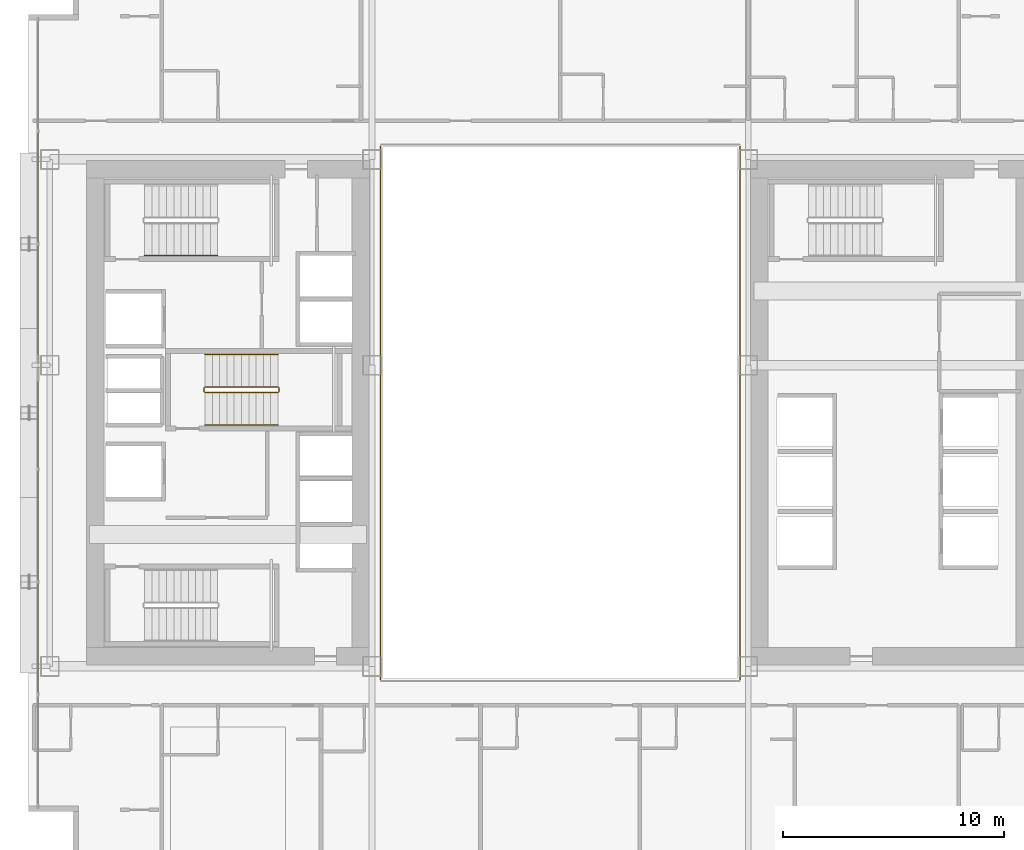
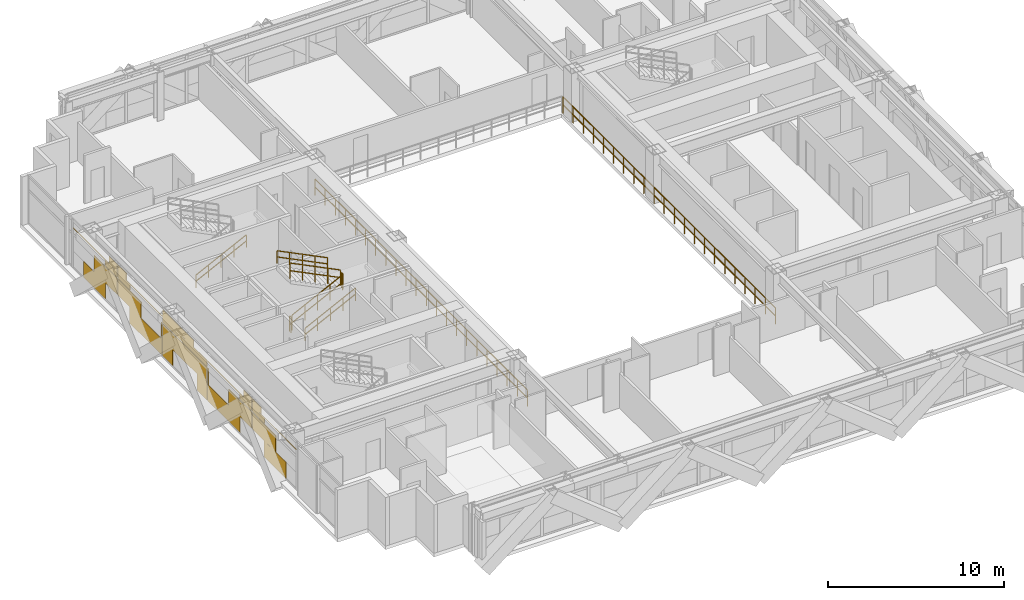
# One storey, part 33 of 35: 9 railings, 1 covering.
"""IFC4 building model written with IfcOpenShell, lengths in metres."""

from ifc_helpers import new_model, si_unit, direction, frame, origin, origin_2d, place, context, subcontext, project, spatial, rectangle, extrude, material, layer, layer_set, type_object, element, save


model = new_model("IFC4")

# Units and contexts
model_context = context("Model", 3, precision=1e-05, world=origin(), true_north=direction((0.0, 1.0)))
body_context = subcontext(model_context, "Body", "Model", "MODEL_VIEW")
ifc_project = project(units=[si_unit("LENGTHUNIT", "METRE"), si_unit("AREAUNIT", "SQUARE_METRE"), si_unit("VOLUMEUNIT", "CUBIC_METRE"), si_unit("PLANEANGLEUNIT", "RADIAN"), si_unit("MASSUNIT", "GRAM", prefix="KILO")], contexts=[model_context])

# Site, building, storey
site_placement = place(None, origin())
site = spatial("IfcSite", under=ifc_project, at=site_placement, CompositionType="ELEMENT")
building_placement = place(site_placement, origin())
building = spatial("IfcBuilding", under=site, at=building_placement, Name="Ocotamira Hotel", CompositionType="ELEMENT")
storey_placement = place(building_placement, frame((0.0, 0.0, 78.0)))
storey = spatial("IfcBuildingStorey", under=building, at=storey_placement, Name="L19", CompositionType="ELEMENT", Elevation=78.0)

# Covering
ifc_material_1 = material(Name="Insulated pale-metal aluminium spandrel panel", Category="aluminium")
ifc_layer = layer(ifc_material_1, 0.044921875)
ifc_layer_set = layer_set([ifc_layer], Name="Insulated pale-metal aluminium spandrel panel")
covering_type = type_object("IfcCoveringType", Name="COV-INFILL-45", PredefinedType="CLADDING", material=ifc_layer_set)
covering_placement = place(storey_placement, origin())
element("IfcCovering", 1, at=covering_placement, inside=storey, type_object=covering_type, Name="L19 Curtain Wall Infill CW-2 CW-L19-W", PredefinedType="CLADDING", context=body_context, shape_type="SweptSolid", body=[
    extrude(rectangle(XDim=2.49658203125, YDim=0.044921875, at=origin_2d()), frame((8.419921875, 15.752685546875, 0.07568359375), z_axis=(0.0, 0.0, 1.0), x_axis=(0.0, 1.0, 0.0)), (0.0, 0.0, 1.0), 1.11767578125),
    extrude(rectangle(XDim=2.640625, YDim=0.044921875, at=origin_2d()), frame((8.419921875, 17.010498046875, 1.1943359375), z_axis=(0.0, 0.0, 1.0), x_axis=(0.0, 1.0, 0.0)), (0.0, 0.0, 1.0), 1.117919921875),
    extrude(rectangle(XDim=5.004638671875, YDim=0.044921875, at=origin_2d()), frame((8.419921875, 15.82861328125, 2.753173828125), z_axis=(0.0, 0.0, 1.0), x_axis=(0.0, 1.0, 0.0)), (0.0, 0.0, 1.0), 0.0361328125),
    extrude(rectangle(XDim=1.375, YDim=0.044921875, at=origin_2d()), frame((8.419921875, 17.643310546875, 2.387939453125), z_axis=(0.0, 0.0, 1.0), x_axis=(0.0, 1.0, 0.0)), (0.0, 0.0, 1.0), 0.3642578125),
    extrude(rectangle(XDim=0.948486328125, YDim=0.044921875, at=origin_2d()), frame((8.419921875, 17.856689453125, 2.79052734375), z_axis=(0.0, 0.0, 1.0), x_axis=(0.0, 1.0, 0.0)), (0.0, 0.0, 1.0), 0.484130859375),
    extrude(rectangle(XDim=2.631103515625, YDim=0.044921875, at=origin_2d()), frame((8.419921875, 19.727294921875, 1.1943359375), z_axis=(0.0, 0.0, 1.0), x_axis=(0.0, 1.0, 0.0)), (0.0, 0.0, 1.0), 1.117919921875),
    extrude(rectangle(XDim=3.684326171875, YDim=0.044921875, at=origin_2d()), frame((8.419921875, 21.574462890625, 0.07568359375), z_axis=(0.0, 0.0, 1.0), x_axis=(0.0, 1.0, 0.0)), (0.0, 0.0, 1.0), 1.11767578125),
    extrude(rectangle(XDim=0.093017578125, YDim=0.044921875, at=origin_2d()), frame((8.419921875, 23.3701171875, 1.1943359375), z_axis=(0.0, 0.0, 1.0), x_axis=(0.0, 1.0, 0.0)), (0.0, 0.0, 1.0), 1.117919921875),
    extrude(rectangle(XDim=1.365478515625, YDim=0.044921875, at=origin_2d()), frame((8.419921875, 19.094482421875, 2.387939453125), z_axis=(0.0, 0.0, 1.0), x_axis=(0.0, 1.0, 0.0)), (0.0, 0.0, 1.0), 0.3642578125),
    extrude(rectangle(XDim=5.004638671875, YDim=0.044921875, at=origin_2d()), frame((8.419921875, 20.914306640625, 2.753173828125), z_axis=(0.0, 0.0, 1.0), x_axis=(0.0, 1.0, 0.0)), (0.0, 0.0, 1.0), 0.0361328125),
    extrude(rectangle(XDim=0.93896484375, YDim=0.044921875, at=origin_2d()), frame((8.419921875, 18.88134765625, 2.79052734375), z_axis=(0.0, 0.0, 1.0), x_axis=(0.0, 1.0, 0.0)), (0.0, 0.0, 1.0), 0.484130859375),
    extrude(rectangle(XDim=1.13671875, YDim=0.044921875, at=origin_2d()), frame((8.419921875, 24.06591796875, 0.07568359375), z_axis=(0.0, 0.0, 1.0), x_axis=(0.0, 1.0, 0.0)), (0.0, 0.0, 1.0), 1.11767578125),
    extrude(rectangle(XDim=5.004638671875, YDim=0.044921875, at=origin_2d()), frame((8.419921875, 26.0, 1.1943359375), z_axis=(0.0, 0.0, 1.0), x_axis=(0.0, 1.0, 0.0)), (0.0, 0.0, 1.0), 1.117919921875),
    extrude(rectangle(XDim=1.13671875, YDim=0.044921875, at=origin_2d()), frame((8.419921875, 27.93408203125, 0.07568359375), z_axis=(0.0, 0.0, 1.0), x_axis=(0.0, 1.0, 0.0)), (0.0, 0.0, 1.0), 1.11767578125),
    extrude(rectangle(XDim=5.004638671875, YDim=0.044921875, at=origin_2d()), frame((8.419921875, 26.0, 2.387939453125), z_axis=(0.0, 0.0, 1.0), x_axis=(0.0, 1.0, 0.0)), (0.0, 0.0, 1.0), 0.4013671875),
    extrude(rectangle(XDim=3.486572265625, YDim=0.044921875, at=origin_2d()), frame((8.419921875, 26.759033203125, 2.79052734375), z_axis=(0.0, 0.0, 1.0), x_axis=(0.0, 1.0, 0.0)), (0.0, 0.0, 1.0), 0.484130859375),
    extrude(rectangle(XDim=3.684326171875, YDim=0.044921875, at=origin_2d()), frame((8.419921875, 30.425537109375, 0.07568359375), z_axis=(0.0, 0.0, 1.0), x_axis=(0.0, 1.0, 0.0)), (0.0, 0.0, 1.0), 1.11767578125),
    extrude(rectangle(XDim=0.093017578125, YDim=0.044921875, at=origin_2d()), frame((8.419921875, 28.6298828125, 1.1943359375), z_axis=(0.0, 0.0, 1.0), x_axis=(0.0, 1.0, 0.0)), (0.0, 0.0, 1.0), 1.117919921875),
    extrude(rectangle(XDim=2.631103515625, YDim=0.044921875, at=origin_2d()), frame((8.419921875, 32.272705078125, 1.1943359375), z_axis=(0.0, 0.0, 1.0), x_axis=(0.0, 1.0, 0.0)), (0.0, 0.0, 1.0), 1.117919921875),
    extrude(rectangle(XDim=5.004638671875, YDim=0.044921875, at=origin_2d()), frame((8.419921875, 31.085693359375, 2.753173828125), z_axis=(0.0, 0.0, 1.0), x_axis=(0.0, 1.0, 0.0)), (0.0, 0.0, 1.0), 0.0361328125),
    extrude(rectangle(XDim=1.365478515625, YDim=0.044921875, at=origin_2d()), frame((8.419921875, 32.905517578125, 2.387939453125), z_axis=(0.0, 0.0, 1.0), x_axis=(0.0, 1.0, 0.0)), (0.0, 0.0, 1.0), 0.3642578125),
    extrude(rectangle(XDim=0.93896484375, YDim=0.044921875, at=origin_2d()), frame((8.419921875, 33.11865234375, 2.79052734375), z_axis=(0.0, 0.0, 1.0), x_axis=(0.0, 1.0, 0.0)), (0.0, 0.0, 1.0), 0.484130859375),
    extrude(rectangle(XDim=2.640625, YDim=0.044921875, at=origin_2d()), frame((8.419921875, 34.989501953125, 1.1943359375), z_axis=(0.0, 0.0, 1.0), x_axis=(0.0, 1.0, 0.0)), (0.0, 0.0, 1.0), 1.117919921875),
    extrude(rectangle(XDim=2.49658203125, YDim=0.044921875, at=origin_2d()), frame((8.419921875, 36.247314453125, 0.07568359375), z_axis=(0.0, 0.0, 1.0), x_axis=(0.0, 1.0, 0.0)), (0.0, 0.0, 1.0), 1.11767578125),
    extrude(rectangle(XDim=1.375, YDim=0.044921875, at=origin_2d()), frame((8.419921875, 34.356689453125, 2.387939453125), z_axis=(0.0, 0.0, 1.0), x_axis=(0.0, 1.0, 0.0)), (0.0, 0.0, 1.0), 0.3642578125),
    extrude(rectangle(XDim=5.004638671875, YDim=0.044921875, at=origin_2d()), frame((8.419921875, 36.17138671875, 2.753173828125), z_axis=(0.0, 0.0, 1.0), x_axis=(0.0, 1.0, 0.0)), (0.0, 0.0, 1.0), 0.0361328125),
    extrude(rectangle(XDim=0.948486328125, YDim=0.044921875, at=origin_2d()), frame((8.419921875, 34.143310546875, 2.79052734375), z_axis=(0.0, 0.0, 1.0), x_axis=(0.0, 1.0, 0.0)), (0.0, 0.0, 1.0), 0.484130859375),
])

# Railings
ifc_material_2 = material(Name="Painted steel stair guardrail", Category="steel")
railing_type_1 = type_object("IfcRailingType", Name="RL-EDGE-1150", PredefinedType="GUARDRAIL", material=ifc_material_2)
railing_1_placement = place(storey_placement, frame((40.1201171875, 13.9599609375, 0.0)))
element("IfcRailing", 2, at=railing_1_placement, inside=storey, type_object=railing_type_1, Name="L19 Central Atrium Edge Guardrail E", PredefinedType="GUARDRAIL", context=body_context, shape_type="SweptSolid", body=[
    extrude(rectangle(XDim=0.048095703125, YDim=0.048095703125, at=origin_2d()), frame((0.0, 0.0, 1.1259765625), z_axis=(0.0, 1.0, 0.0), x_axis=(-1.0, 0.0, 0.0)), (0.0, 0.0, 1.0), 24.080078125),
    extrude(rectangle(XDim=0.048095703125, YDim=0.048095703125, at=origin_2d()), frame((0.0, 0.0, 0.574951171875), z_axis=(0.0, 1.0, 0.0), x_axis=(-1.0, 0.0, 0.0)), (0.0, 0.0, 1.0), 24.080078125),
    extrude(rectangle(XDim=0.0419921875, YDim=0.0419921875, at=origin_2d()), origin(), (0.0, 0.0, 1.0), 1.101806640625),
    extrude(rectangle(XDim=0.0419921875, YDim=0.0419921875, at=origin_2d()), frame((0.0, 1.146728515625, 0.0)), (0.0, 0.0, 1.0), 1.101806640625),
    extrude(rectangle(XDim=0.0419921875, YDim=0.0419921875, at=origin_2d()), frame((0.0, 2.29345703125, 0.0)), (0.0, 0.0, 1.0), 1.101806640625),
    extrude(rectangle(XDim=0.0419921875, YDim=0.0419921875, at=origin_2d()), frame((0.0, 3.43994140625, 0.0)), (0.0, 0.0, 1.0), 1.101806640625),
    extrude(rectangle(XDim=0.0419921875, YDim=0.0419921875, at=origin_2d()), frame((0.0, 4.586669921875, 0.0)), (0.0, 0.0, 1.0), 1.101806640625),
    extrude(rectangle(XDim=0.0419921875, YDim=0.0419921875, at=origin_2d()), frame((0.0, 5.7333984375, 0.0)), (0.0, 0.0, 1.0), 1.101806640625),
    extrude(rectangle(XDim=0.0419921875, YDim=0.0419921875, at=origin_2d()), frame((0.0, 6.880126953125, 0.0)), (0.0, 0.0, 1.0), 1.101806640625),
    extrude(rectangle(XDim=0.0419921875, YDim=0.0419921875, at=origin_2d()), frame((0.0, 8.026611328125, 0.0)), (0.0, 0.0, 1.0), 1.101806640625),
    extrude(rectangle(XDim=0.0419921875, YDim=0.0419921875, at=origin_2d()), frame((0.0, 9.17333984375, 0.0)), (0.0, 0.0, 1.0), 1.101806640625),
    extrude(rectangle(XDim=0.0419921875, YDim=0.0419921875, at=origin_2d()), frame((0.0, 10.320068359375, 0.0)), (0.0, 0.0, 1.0), 1.101806640625),
    extrude(rectangle(XDim=0.0419921875, YDim=0.0419921875, at=origin_2d()), frame((0.0, 11.466796875, 0.0)), (0.0, 0.0, 1.0), 1.101806640625),
    extrude(rectangle(XDim=0.0419921875, YDim=0.0419921875, at=origin_2d()), frame((0.0, 12.61328125, 0.0)), (0.0, 0.0, 1.0), 1.101806640625),
    extrude(rectangle(XDim=0.0419921875, YDim=0.0419921875, at=origin_2d()), frame((0.0, 13.760009765625, 0.0)), (0.0, 0.0, 1.0), 1.101806640625),
    extrude(rectangle(XDim=0.0419921875, YDim=0.0419921875, at=origin_2d()), frame((0.0, 14.90673828125, 0.0)), (0.0, 0.0, 1.0), 1.101806640625),
    extrude(rectangle(XDim=0.0419921875, YDim=0.0419921875, at=origin_2d()), frame((0.0, 16.053466796875, 0.0)), (0.0, 0.0, 1.0), 1.101806640625),
    extrude(rectangle(XDim=0.0419921875, YDim=0.0419921875, at=origin_2d()), frame((0.0, 17.199951171875, 0.0)), (0.0, 0.0, 1.0), 1.101806640625),
    extrude(rectangle(XDim=0.0419921875, YDim=0.0419921875, at=origin_2d()), frame((0.0, 18.3466796875, 0.0)), (0.0, 0.0, 1.0), 1.101806640625),
    extrude(rectangle(XDim=0.0419921875, YDim=0.0419921875, at=origin_2d()), frame((0.0, 19.493408203125, 0.0)), (0.0, 0.0, 1.0), 1.101806640625),
    extrude(rectangle(XDim=0.0419921875, YDim=0.0419921875, at=origin_2d()), frame((0.0, 20.64013671875, 0.0)), (0.0, 0.0, 1.0), 1.101806640625),
    extrude(rectangle(XDim=0.0419921875, YDim=0.0419921875, at=origin_2d()), frame((0.0, 21.78662109375, 0.0)), (0.0, 0.0, 1.0), 1.101806640625),
    extrude(rectangle(XDim=0.0419921875, YDim=0.0419921875, at=origin_2d()), frame((0.0, 22.933349609375, 0.0)), (0.0, 0.0, 1.0), 1.101806640625),
    extrude(rectangle(XDim=0.0419921875, YDim=0.0419921875, at=origin_2d()), frame((0.0, 24.080078125, 0.0)), (0.0, 0.0, 1.0), 1.101806640625),
])
railing_2_placement = place(storey_placement, frame((23.8798828125, 38.0400390625, 0.0)))
element("IfcRailing", 3, at=railing_2_placement, inside=storey, type_object=railing_type_1, Name="L19 Central Atrium Edge Guardrail W", PredefinedType="GUARDRAIL", context=body_context, shape_type="SweptSolid", body=[
    extrude(rectangle(XDim=0.048095703125, YDim=0.048095703125, at=origin_2d()), frame((0.0, 0.0, 1.1259765625), z_axis=(0.0, -1.0, 0.0), x_axis=(1.0, 0.0, 0.0)), (0.0, 0.0, 1.0), 24.080078125),
    extrude(rectangle(XDim=0.048095703125, YDim=0.048095703125, at=origin_2d()), frame((0.0, 0.0, 0.574951171875), z_axis=(0.0, -1.0, 0.0), x_axis=(1.0, 0.0, 0.0)), (0.0, 0.0, 1.0), 24.080078125),
    extrude(rectangle(XDim=0.0419921875, YDim=0.0419921875, at=origin_2d()), origin(), (0.0, 0.0, 1.0), 1.101806640625),
    extrude(rectangle(XDim=0.0419921875, YDim=0.0419921875, at=origin_2d()), frame((0.0, -1.146728515625, 0.0)), (0.0, 0.0, 1.0), 1.101806640625),
    extrude(rectangle(XDim=0.0419921875, YDim=0.0419921875, at=origin_2d()), frame((0.0, -2.29345703125, 0.0)), (0.0, 0.0, 1.0), 1.101806640625),
    extrude(rectangle(XDim=0.0419921875, YDim=0.0419921875, at=origin_2d()), frame((0.0, -3.43994140625, 0.0)), (0.0, 0.0, 1.0), 1.101806640625),
    extrude(rectangle(XDim=0.0419921875, YDim=0.0419921875, at=origin_2d()), frame((0.0, -4.586669921875, 0.0)), (0.0, 0.0, 1.0), 1.101806640625),
    extrude(rectangle(XDim=0.0419921875, YDim=0.0419921875, at=origin_2d()), frame((0.0, -5.7333984375, 0.0)), (0.0, 0.0, 1.0), 1.101806640625),
    extrude(rectangle(XDim=0.0419921875, YDim=0.0419921875, at=origin_2d()), frame((0.0, -6.880126953125, 0.0)), (0.0, 0.0, 1.0), 1.101806640625),
    extrude(rectangle(XDim=0.0419921875, YDim=0.0419921875, at=origin_2d()), frame((0.0, -8.026611328125, 0.0)), (0.0, 0.0, 1.0), 1.101806640625),
    extrude(rectangle(XDim=0.0419921875, YDim=0.0419921875, at=origin_2d()), frame((0.0, -9.17333984375, 0.0)), (0.0, 0.0, 1.0), 1.101806640625),
    extrude(rectangle(XDim=0.0419921875, YDim=0.0419921875, at=origin_2d()), frame((0.0, -10.320068359375, 0.0)), (0.0, 0.0, 1.0), 1.101806640625),
    extrude(rectangle(XDim=0.0419921875, YDim=0.0419921875, at=origin_2d()), frame((0.0, -11.466796875, 0.0)), (0.0, 0.0, 1.0), 1.101806640625),
    extrude(rectangle(XDim=0.0419921875, YDim=0.0419921875, at=origin_2d()), frame((0.0, -12.61328125, 0.0)), (0.0, 0.0, 1.0), 1.101806640625),
    extrude(rectangle(XDim=0.0419921875, YDim=0.0419921875, at=origin_2d()), frame((0.0, -13.760009765625, 0.0)), (0.0, 0.0, 1.0), 1.101806640625),
    extrude(rectangle(XDim=0.0419921875, YDim=0.0419921875, at=origin_2d()), frame((0.0, -14.90673828125, 0.0)), (0.0, 0.0, 1.0), 1.101806640625),
    extrude(rectangle(XDim=0.0419921875, YDim=0.0419921875, at=origin_2d()), frame((0.0, -16.053466796875, 0.0)), (0.0, 0.0, 1.0), 1.101806640625),
    extrude(rectangle(XDim=0.0419921875, YDim=0.0419921875, at=origin_2d()), frame((0.0, -17.199951171875, 0.0)), (0.0, 0.0, 1.0), 1.101806640625),
    extrude(rectangle(XDim=0.0419921875, YDim=0.0419921875, at=origin_2d()), frame((0.0, -18.3466796875, 0.0)), (0.0, 0.0, 1.0), 1.101806640625),
    extrude(rectangle(XDim=0.0419921875, YDim=0.0419921875, at=origin_2d()), frame((0.0, -19.493408203125, 0.0)), (0.0, 0.0, 1.0), 1.101806640625),
    extrude(rectangle(XDim=0.0419921875, YDim=0.0419921875, at=origin_2d()), frame((0.0, -20.64013671875, 0.0)), (0.0, 0.0, 1.0), 1.101806640625),
    extrude(rectangle(XDim=0.0419921875, YDim=0.0419921875, at=origin_2d()), frame((0.0, -21.78662109375, 0.0)), (0.0, 0.0, 1.0), 1.101806640625),
    extrude(rectangle(XDim=0.0419921875, YDim=0.0419921875, at=origin_2d()), frame((0.0, -22.933349609375, 0.0)), (0.0, 0.0, 1.0), 1.101806640625),
    extrude(rectangle(XDim=0.0419921875, YDim=0.0419921875, at=origin_2d()), frame((0.0, -24.080078125, 0.0)), (0.0, 0.0, 1.0), 1.101806640625),
])
ifc_material_3 = material(Name="Brushed stainless steel handrail", Category="steel")
railing_type_2 = type_object("IfcRailingType", Name="RL-HAND-900", PredefinedType="HANDRAIL", material=ifc_material_3)
for number, where, name in (
    (4, (13.22998046875, 33.10009765625, 0.327392578125), "L19 ST-2 stair handrail 1"),
    (5, (15.9599609375, 25.449951171875, 0.327392578125), "L19 ST-3 stair handrail 1"),
):
    element("IfcRailing", number, at=place(storey_placement, frame(where)), inside=storey, type_object=railing_type_2, Name=name, PredefinedType="HANDRAIL", context=body_context, shape_type="SweptSolid", body=[
        extrude(rectangle(XDim=0.048095703125, YDim=0.048095703125, at=origin_2d()), frame((0.0, 0.0, 0.8759765625), z_axis=(0.895920123917, 0.0, 0.444215186098), x_axis=(0.0, 1.0, 0.0)), (0.0, 0.0, 1.0), 3.683349609375),
        extrude(rectangle(XDim=0.048095703125, YDim=0.048095703125, at=origin_2d()), frame((0.0, 0.0, 0.449951171875), z_axis=(0.895920123917, 0.0, 0.444215186098), x_axis=(0.0, 1.0, 0.0)), (0.0, 0.0, 1.0), 3.683349609375),
        extrude(rectangle(XDim=0.0419921875, YDim=0.0419921875, at=origin_2d()), origin(), (0.0, 0.0, 1.0), 0.851806640625),
        extrude(rectangle(XDim=0.0419921875, YDim=0.0419921875, at=origin_2d()), frame((0.824951171875, 0.0, 0.4091796875)), (0.0, 0.0, 1.0), 0.851806640625),
        extrude(rectangle(XDim=0.0419921875, YDim=0.0419921875, at=origin_2d()), frame((1.64990234375, 0.0, 0.818115234375)), (0.0, 0.0, 1.0), 0.851806640625),
        extrude(rectangle(XDim=0.0419921875, YDim=0.0419921875, at=origin_2d()), frame((2.47509765625, 0.0, 1.22705078125)), (0.0, 0.0, 1.0), 0.851806640625),
        extrude(rectangle(XDim=0.0419921875, YDim=0.0419921875, at=origin_2d()), frame((3.300048828125, 0.0, 1.63623046875)), (0.0, 0.0, 1.0), 0.851806640625),
    ])
railing_3_placement = place(storey_placement, frame((19.260009765625, 28.6298828125, 2.127197265625)))
element("IfcRailing", 6, at=railing_3_placement, inside=storey, type_object=railing_type_2, Name="L19 ST-3 stair handrail 2", PredefinedType="HANDRAIL", context=body_context, shape_type="SweptSolid", body=[
    extrude(rectangle(XDim=0.048095703125, YDim=0.048095703125, at=origin_2d()), frame((0.0, 0.0, 0.8759765625), z_axis=(-0.895893744519, 0.0, 0.4442683857), x_axis=(0.0, -1.0, 0.0)), (0.0, 0.0, 1.0), 3.68359375),
    extrude(rectangle(XDim=0.048095703125, YDim=0.048095703125, at=origin_2d()), frame((0.0, 0.0, 0.449951171875), z_axis=(-0.895893744519, 0.0, 0.4442683857), x_axis=(0.0, -1.0, 0.0)), (0.0, 0.0, 1.0), 3.68359375),
    extrude(rectangle(XDim=0.0419921875, YDim=0.0419921875, at=origin_2d()), origin(), (0.0, 0.0, 1.0), 0.851806640625),
    extrude(rectangle(XDim=0.0419921875, YDim=0.0419921875, at=origin_2d()), frame((-0.824951171875, 0.0, 0.4091796875)), (0.0, 0.0, 1.0), 0.851806640625),
    extrude(rectangle(XDim=0.0419921875, YDim=0.0419921875, at=origin_2d()), frame((-1.64990234375, 0.0, 0.818359375)), (0.0, 0.0, 1.0), 0.851806640625),
    extrude(rectangle(XDim=0.0419921875, YDim=0.0419921875, at=origin_2d()), frame((-2.47509765625, 0.0, 1.227294921875)), (0.0, 0.0, 1.0), 0.851806640625),
    extrude(rectangle(XDim=0.0419921875, YDim=0.0419921875, at=origin_2d()), frame((-3.300048828125, 0.0, 1.636474609375)), (0.0, 0.0, 1.0), 0.851806640625),
])
railing_type_3 = type_object("IfcRailingType", Name="RL-STAIR-1100", PredefinedType="GUARDRAIL", material=ifc_material_2)
railing_4_placement = place(storey_placement, frame((15.9599609375, 26.909912109375, 0.16357421875)))
element("IfcRailing", 7, at=railing_4_placement, inside=storey, type_object=railing_type_3, Name="L19 ST-3 stair guard 1", PredefinedType="GUARDRAIL", context=body_context, shape_type="SweptSolid", body=[
    extrude(rectangle(XDim=0.048095703125, YDim=0.048095703125, at=origin_2d()), frame((0.0, 0.0, 1.076171875), z_axis=(0.895893744519, 0.0, 0.4442683857), x_axis=(0.0, 1.0, 0.0)), (0.0, 0.0, 1.0), 3.68359375),
    extrude(rectangle(XDim=0.048095703125, YDim=0.048095703125, at=origin_2d()), frame((0.0, 0.0, 0.550048828125), z_axis=(0.895893744519, 0.0, 0.4442683857), x_axis=(0.0, 1.0, 0.0)), (0.0, 0.0, 1.0), 3.68359375),
    extrude(rectangle(XDim=0.0419921875, YDim=0.0419921875, at=origin_2d()), origin(), (0.0, 0.0, 1.0), 1.052001953125),
    extrude(rectangle(XDim=0.0419921875, YDim=0.0419921875, at=origin_2d()), frame((0.824951171875, 0.0, 0.4091796875)), (0.0, 0.0, 1.0), 1.052001953125),
    extrude(rectangle(XDim=0.0419921875, YDim=0.0419921875, at=origin_2d()), frame((1.64990234375, 0.0, 0.818359375)), (0.0, 0.0, 1.0), 1.052001953125),
    extrude(rectangle(XDim=0.0419921875, YDim=0.0419921875, at=origin_2d()), frame((2.47509765625, 0.0, 1.227294921875)), (0.0, 0.0, 1.0), 1.052001953125),
    extrude(rectangle(XDim=0.0419921875, YDim=0.0419921875, at=origin_2d()), frame((3.300048828125, 0.0, 1.636474609375)), (0.0, 0.0, 1.0), 1.052001953125),
])
railing_5_placement = place(storey_placement, frame((19.31005859375, 26.9599609375, 1.800048828125)))
element("IfcRailing", 8, at=railing_5_placement, inside=storey, type_object=railing_type_3, Name="L19 ST-3 stair guard 2", PredefinedType="GUARDRAIL", context=body_context, shape_type="SweptSolid", body=[
    extrude(rectangle(XDim=0.048095703125, YDim=0.048095703125, at=origin_2d()), frame((0.0, 0.0, 1.076171875), z_axis=(0.0, 1.0, 0.0), x_axis=(-1.0, 0.0, 0.0)), (0.0, 0.0, 1.0), 0.16015625),
    extrude(rectangle(XDim=0.048095703125, YDim=0.048095703125, at=origin_2d()), frame((0.0, 0.0, 0.550048828125), z_axis=(0.0, 1.0, 0.0), x_axis=(-1.0, 0.0, 0.0)), (0.0, 0.0, 1.0), 0.16015625),
    extrude(rectangle(XDim=0.0419921875, YDim=0.0419921875, at=origin_2d()), origin(), (0.0, 0.0, 1.0), 1.052001953125),
    extrude(rectangle(XDim=0.0419921875, YDim=0.0419921875, at=origin_2d()), frame((0.0, 0.16015625, 0.0)), (0.0, 0.0, 1.0), 1.052001953125),
])
railing_6_placement = place(storey_placement, frame((19.260009765625, 27.169921875, 1.963623046875)))
element("IfcRailing", 9, at=railing_6_placement, inside=storey, type_object=railing_type_3, Name="L19 ST-3 stair guard 3", PredefinedType="GUARDRAIL", context=body_context, shape_type="SweptSolid", body=[
    extrude(rectangle(XDim=0.048095703125, YDim=0.048095703125, at=origin_2d()), frame((0.0, 0.0, 1.076171875), z_axis=(-0.895893744519, 0.0, 0.4442683857), x_axis=(0.0, -1.0, 0.0)), (0.0, 0.0, 1.0), 3.68359375),
    extrude(rectangle(XDim=0.048095703125, YDim=0.048095703125, at=origin_2d()), frame((0.0, 0.0, 0.550048828125), z_axis=(-0.895893744519, 0.0, 0.4442683857), x_axis=(0.0, -1.0, 0.0)), (0.0, 0.0, 1.0), 3.68359375),
    extrude(rectangle(XDim=0.0419921875, YDim=0.0419921875, at=origin_2d()), origin(), (0.0, 0.0, 1.0), 1.052001953125),
    extrude(rectangle(XDim=0.0419921875, YDim=0.0419921875, at=origin_2d()), frame((-0.824951171875, 0.0, 0.4091796875)), (0.0, 0.0, 1.0), 1.052001953125),
    extrude(rectangle(XDim=0.0419921875, YDim=0.0419921875, at=origin_2d()), frame((-1.64990234375, 0.0, 0.818359375)), (0.0, 0.0, 1.0), 1.052001953125),
    extrude(rectangle(XDim=0.0419921875, YDim=0.0419921875, at=origin_2d()), frame((-2.47509765625, 0.0, 1.227294921875)), (0.0, 0.0, 1.0), 1.052001953125),
    extrude(rectangle(XDim=0.0419921875, YDim=0.0419921875, at=origin_2d()), frame((-3.300048828125, 0.0, 1.636474609375)), (0.0, 0.0, 1.0), 1.052001953125),
])
railing_7_placement = place(storey_placement, frame((15.909912109375, 26.9599609375, 0.0)))
element("IfcRailing", 10, at=railing_7_placement, inside=storey, type_object=railing_type_3, Name="L19 ST-3 stair guard 4", PredefinedType="GUARDRAIL", context=body_context, shape_type="SweptSolid", body=[
    extrude(rectangle(XDim=0.048095703125, YDim=0.048095703125, at=origin_2d()), frame((0.0, 0.0, 1.076171875), z_axis=(0.0, 1.0, 0.0), x_axis=(-1.0, 0.0, 0.0)), (0.0, 0.0, 1.0), 0.16015625),
    extrude(rectangle(XDim=0.048095703125, YDim=0.048095703125, at=origin_2d()), frame((0.0, 0.0, 0.550048828125), z_axis=(0.0, 1.0, 0.0), x_axis=(-1.0, 0.0, 0.0)), (0.0, 0.0, 1.0), 0.16015625),
    extrude(rectangle(XDim=0.0419921875, YDim=0.0419921875, at=origin_2d()), origin(), (0.0, 0.0, 1.0), 1.052001953125),
    extrude(rectangle(XDim=0.0419921875, YDim=0.0419921875, at=origin_2d()), frame((0.0, 0.16015625, 0.0)), (0.0, 0.0, 1.0), 1.052001953125),
])

save(model, "model.ifc")
